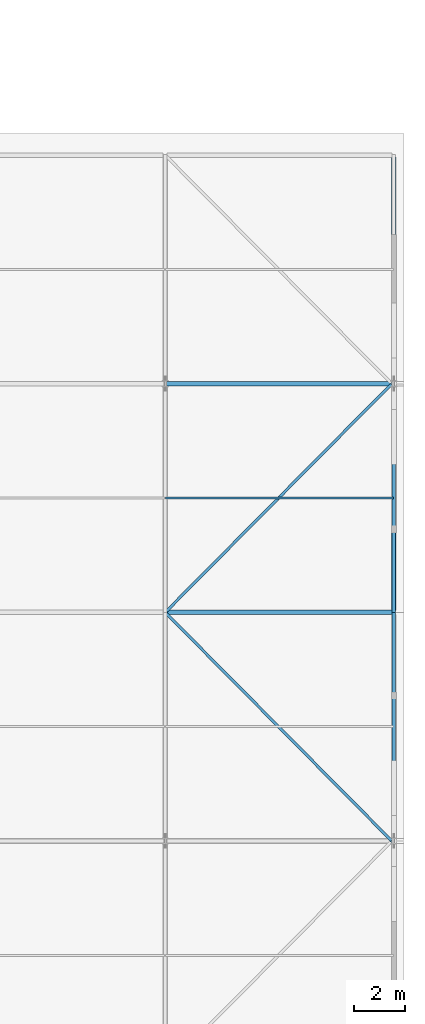
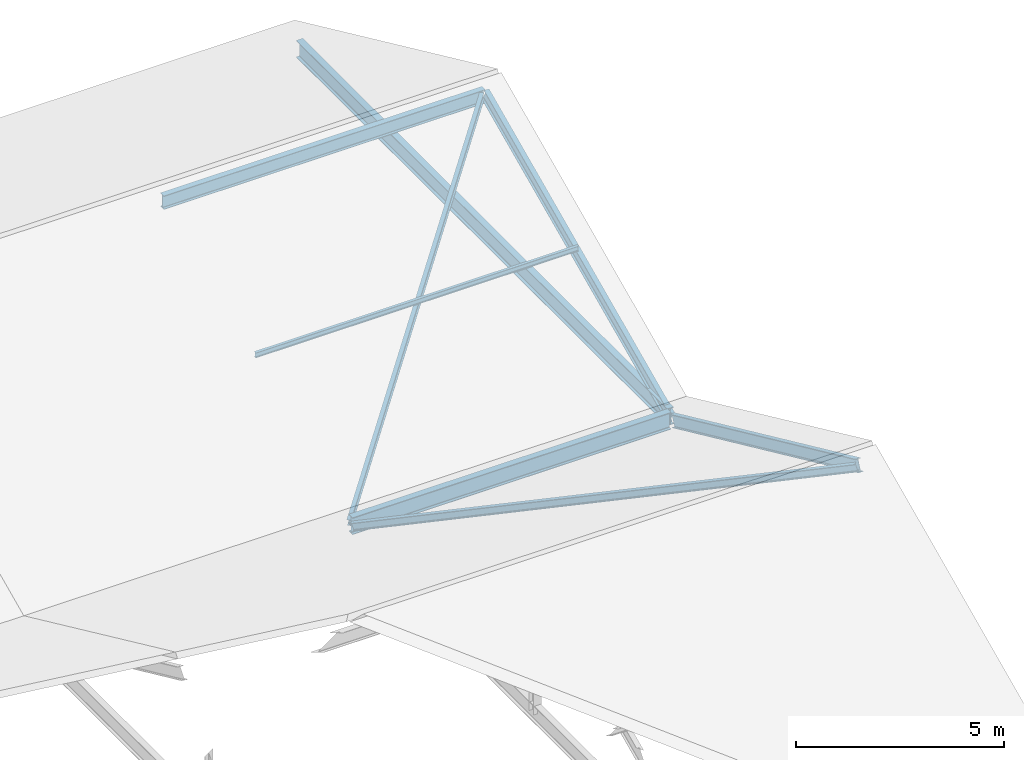
# One storey, part 89 of 163: 6 members, 2 beams.
"""IFC4 building model written with IfcOpenShell, lengths in metres."""

import ifcopenshell
import ifcopenshell.guid

model = None  # the IFC model being written
_history = None  # IfcOwnerHistory: only IFC2X3 demands one
_inside = {}  # id of a spatial element -> (the spatial element, [elements in it])
_under = {}  # id of a project, library or spatial element -> (it, [spatial elements below it])
_declared = {}  # id of a project -> (the project, [libraries it declares])
_typed = {}  # id of a type object -> (the type object, [elements of that type])
_made_of = {}  # id of a material, layer set ... -> (it, [elements and type objects made of it])


def new_model(schema):
    """Start an empty IFC model of exactly this schema.

    Asked for "IFC4X3", IfcOpenShell would pick the latest addendum, in which some entities
    have other attributes; the version numbers below select the first issue.
    IFC2X3 requires an IfcOwnerHistory on every rooted entity: one is made here for all.
    """
    global model, _history
    if schema == "IFC4X3":
        model = ifcopenshell.file(schema_version=(4, 3, 0, 0))
    else:
        model = ifcopenshell.file(schema=schema)
    _inside.clear()
    _under.clear()
    _declared.clear()
    _typed.clear()
    _made_of.clear()
    _history = None
    if model.schema == "IFC2X3":
        org = make("IfcOrganization", Name="unknown")
        user = make(
            "IfcPersonAndOrganization",
            ThePerson=make("IfcPerson", FamilyName="unknown"),
            TheOrganization=org,
        )
        app = make(
            "IfcApplication",
            ApplicationDeveloper=org,
            Version="unknown",
            ApplicationFullName="unknown",
            ApplicationIdentifier="unknown",
        )
        _history = make(
            "IfcOwnerHistory",
            OwningUser=user,
            OwningApplication=app,
            ChangeAction="ADDED",
            CreationDate=0,
        )
    return model


def make(cls, **values):
    """One entity of the class cls with the attributes given. An attribute that is None is left unset."""
    return model.create_entity(
        cls, **{name: value for name, value in values.items() if value is not None}
    )


def rooted(cls, **values):
    """An entity with a GlobalId (a new one), such as an element, a storey or a relation."""
    return make(cls, GlobalId=ifcopenshell.guid.new(), OwnerHistory=_history, **values)


def si_unit(unit_type, name, prefix=None):
    """IfcSIUnit, for example si_unit("LENGTHUNIT", "METRE", prefix="MILLI")."""
    return make("IfcSIUnit", UnitType=unit_type, Prefix=prefix, Name=name)


def assignment(units):
    """IfcUnitAssignment: the units of a project."""
    return None if units is None else make("IfcUnitAssignment", Units=units)


def point(xyz):
    """IfcCartesianPoint."""
    return None if xyz is None else make("IfcCartesianPoint", Coordinates=xyz)


def direction(xyz):
    """IfcDirection."""
    return None if xyz is None else make("IfcDirection", DirectionRatios=xyz)


def frame(location, z_axis=None, x_axis=None):
    """IfcAxis2Placement3D, a coordinate frame: its origin and axes. An axis left out is left unset."""
    return make(
        "IfcAxis2Placement3D",
        Location=point(location),
        Axis=direction(z_axis),
        RefDirection=direction(x_axis),
    )


def frame_2d(location, x_axis=None):
    """IfcAxis2Placement2D, a coordinate frame in the plane: its origin and x axis."""
    return make(
        "IfcAxis2Placement2D", Location=point(location), RefDirection=direction(x_axis)
    )


def origin():
    """The frame at (0, 0, 0) with its axes left unset."""
    return frame((0.0, 0.0, 0.0))


def origin_2d():
    """The frame at (0, 0) in the plane with its x axis left unset."""
    return frame_2d((0.0, 0.0))


def place(relative_to, where):
    """IfcLocalPlacement: puts the frame where relative to a parent placement (None: the world)."""
    return make(
        "IfcLocalPlacement", PlacementRelTo=relative_to, RelativePlacement=where
    )


def context(
    kind, dimensions, precision=None, world=None, true_north=None, identifier=None
):
    """IfcGeometricRepresentationContext, for example the 3D "Model" context."""
    return make(
        "IfcGeometricRepresentationContext",
        ContextIdentifier=identifier,
        ContextType=kind,
        CoordinateSpaceDimension=dimensions,
        Precision=precision,
        WorldCoordinateSystem=world,
        TrueNorth=true_north,
    )


def subcontext(parent, identifier, kind, view, scale=None):
    """IfcGeometricRepresentationSubContext, for example "Body" below "Model"."""
    return make(
        "IfcGeometricRepresentationSubContext",
        ContextIdentifier=identifier,
        ContextType=kind,
        ParentContext=parent,
        TargetScale=scale,
        TargetView=view,
    )


def project(units=None, contexts=None):
    """IfcProject with its units and contexts."""
    return rooted(
        "IfcProject",
        Name="project",
        RepresentationContexts=contexts,
        UnitsInContext=assignment(units),
    )


def spatial(cls, under=None, at=None, **own):
    """A site, building, storey or space (cls), placed at a placement, below another one or the project."""
    s = rooted(cls, ObjectPlacement=at, **own)
    if under is not None:
        _under.setdefault(under.id(), (under, []))[1].append(s)
    return s


def profile(cls, at=None, kind="AREA", **sizes):
    """A parametric profile (cls). Its sizes go by their IFC names, for example OverallWidth=200.0."""
    return make(cls, ProfileType=kind, Position=at, **sizes)


def i_section(**sizes):
    """IfcIShapeProfileDef."""
    return profile("IfcIShapeProfileDef", **sizes)


def extrude(swept, where, along, depth):
    """IfcExtrudedAreaSolid: the profile swept, set in the frame where, extruded along a direction by depth."""
    return make(
        "IfcExtrudedAreaSolid",
        SweptArea=swept,
        Position=where,
        ExtrudedDirection=direction(along),
        Depth=depth,
    )


def shape(context_of_items, identifier, shape_type, items):
    """IfcShapeRepresentation: the items that make up one representation, for example the "Body"."""
    return make(
        "IfcShapeRepresentation",
        ContextOfItems=context_of_items,
        RepresentationIdentifier=identifier,
        RepresentationType=shape_type,
        Items=items,
    )


def material(Name=None, Category=None):
    """IfcMaterial."""
    return make("IfcMaterial", Name=Name, Category=Category)


def material_profile(
    of_material, cross_section, Name=None, Category=None, Priority=None
):
    """IfcMaterialProfile: a cross section and its material."""
    return make(
        "IfcMaterialProfile",
        Name=Name,
        Material=of_material,
        Profile=cross_section,
        Priority=Priority,
        Category=Category,
    )


def profile_set(profiles, Name=None, composite=None):
    """IfcMaterialProfileSet."""
    return make(
        "IfcMaterialProfileSet",
        Name=Name,
        MaterialProfiles=profiles,
        CompositeProfile=composite,
    )


def made_of(thing, what):
    """Note that an element or type object is made of a material, layer set ...; save() writes the relation."""
    if what is not None:
        _made_of.setdefault(what.id(), (what, []))[1].append(thing)
    return thing


def type_object(cls, material=None, **own):
    """A type object (cls), such as IfcWallType, which elements share."""
    return made_of(rooted(cls, **own), material)


def element(
    cls,
    number,
    at=None,
    inside=None,
    cuts=None,
    type_object=None,
    material=None,
    context=None,
    identifier="Body",
    shape_type=None,
    held_by="IfcProductDefinitionShape",
    body=None,
    shapes=None,
    **own,
):
    """One element of the class cls, such as IfcWall. Its Tag is "e" and its number.

    at: its placement. inside: the storey or other place that contains it. cuts: it is an
    opening in that element (IfcRelVoidsElement). A single representation is given by context,
    identifier, shape_type and body (its items); several are given by shapes. held_by: the class
    of the entity that holds the representations. save() writes the other relations.
    """
    e = rooted(cls, Tag="e%d" % number, ObjectPlacement=at, **own)
    if body is not None:
        shapes = [shape(context, identifier, shape_type, body)]
    if shapes is not None:
        e.Representation = make(held_by, Representations=shapes)
    if inside is not None:
        _inside.setdefault(inside.id(), (inside, []))[1].append(e)
    if cuts is not None:
        rooted(
            "IfcRelVoidsElement", RelatingBuildingElement=cuts, RelatedOpeningElement=e
        )
    if type_object is not None:
        _typed.setdefault(type_object.id(), (type_object, []))[1].append(e)
    return made_of(e, material)


def aggregate(whole, parts):
    """IfcRelAggregates: a whole, such as a stair, and the parts it consists of."""
    return rooted("IfcRelAggregates", RelatingObject=whole, RelatedObjects=parts)


def save(model, path):
    """Write the relations noted so far, then the file.

    IfcRelAggregates (storeys below a building ...), IfcRelContainedInSpatialStructure (elements
    in a storey), IfcRelDefinesByType, IfcRelAssociatesMaterial and IfcRelDeclares: one each for
    every whole, place, type object, material and project.
    """
    for whole, parts in _under.values():
        aggregate(whole, parts)
    for where, things in _inside.values():
        rooted(
            "IfcRelContainedInSpatialStructure",
            RelatedElements=things,
            RelatingStructure=where,
        )
    for kind, things in _typed.values():
        rooted("IfcRelDefinesByType", RelatedObjects=things, RelatingType=kind)
    for what, things in _made_of.values():
        rooted("IfcRelAssociatesMaterial", RelatedObjects=things, RelatingMaterial=what)
    for by, libraries in _declared.values():
        rooted("IfcRelDeclares", RelatingContext=by, RelatedDefinitions=libraries)
    model.write(path)


model = new_model("IFC4")

# Units and contexts
model_context = context("Model", 3, precision=1e-05, world=origin(), true_north=direction((0.0, 1.0)))
body_context = subcontext(model_context, "Body", "Model", "MODEL_VIEW")
ifc_project = project(units=[si_unit("LENGTHUNIT", "METRE"), si_unit("AREAUNIT", "SQUARE_METRE"), si_unit("VOLUMEUNIT", "CUBIC_METRE"), si_unit("PLANEANGLEUNIT", "RADIAN"), si_unit("MASSUNIT", "GRAM", prefix="KILO")], contexts=[model_context])

# Site, building, storey
site_placement = place(None, origin())
site = spatial("IfcSite", under=ifc_project, at=site_placement, CompositionType="ELEMENT")
building_placement = place(site_placement, origin())
building = spatial("IfcBuilding", under=site, at=building_placement, Name="Tharagai Park Tramway Depot", CompositionType="ELEMENT")
storey_placement = place(building_placement, frame((0.0, 0.0, 8.39990234375)))
storey = spatial("IfcBuildingStorey", under=building, at=storey_placement, Name="L02", CompositionType="ELEMENT", Elevation=8.39990234375)

# Beams
ifc_material_1 = material(Name="Steel E350", Category="steel")
ifc_material_profile_1 = material_profile(ifc_material_1, i_section(OverallWidth=0.179931640625, OverallDepth=0.5, WebThickness=0.01025390625, FlangeThickness=0.01708984375, FilletRadius=0.01708984375, at=origin_2d()), Name="ISMB 500")
ifc_profile_set_1 = profile_set([ifc_material_profile_1], Name="Steel E350")
beam_type = type_object("IfcBeamType", Name="BM-18", PredefinedType="BEAM", material=ifc_profile_set_1)
beam_1_placement = place(storey_placement, frame((207.080078125, 117.0, -0.5), z_axis=(1.0, 0.0, 0.0), x_axis=(0.0, 1.0, 0.0)))
element("IfcBeam", 1, at=beam_1_placement, inside=storey, type_object=beam_type, Name="V3B1 Roof Eave Girder BM-18", PredefinedType="BEAM", context=body_context, shape_type="SweptSolid", body=[
    extrude(i_section(OverallWidth=0.179931640625, OverallDepth=0.5, WebThickness=0.01025390625, FlangeThickness=0.01708984375, FilletRadius=0.01708984375, at=origin_2d()), origin(), (0.0, 0.0, 1.0), 8.83984375),
])
beam_2_placement = place(storey_placement, frame((216.0, 117.080078125, -0.5), z_axis=(0.0, 1.0, 0.0), x_axis=(-1.0, 0.0, 0.0)))
element("IfcBeam", 2, at=beam_2_placement, inside=storey, type_object=beam_type, Name="V3B2 Gable Tie Girder BM-18", PredefinedType="BEAM", context=body_context, shape_type="SweptSolid", body=[
    extrude(i_section(OverallWidth=0.179931640625, OverallDepth=0.5, WebThickness=0.01025390625, FlangeThickness=0.01708984375, FilletRadius=0.01708984375, at=origin_2d()), origin(), (0.0, 0.0, 1.0), 17.83984375),
])

# Members
ifc_material_profile_2 = material_profile(ifc_material_1, i_section(OverallWidth=0.110107421875, OverallDepth=0.22509765625, WebThickness=0.006591796875, FlangeThickness=0.01171875, FilletRadius=0.011962890625, at=origin_2d()), Name="ISMB 225")
ifc_profile_set_2 = profile_set([ifc_material_profile_2], Name="Steel E350")
member_type_1 = type_object("IfcMemberType", Name="BR-04", PredefinedType="BRACE", material=ifc_profile_set_2)
for number, where, z_axis, x_axis, name in (
    (3, (207.080078125, 116.919921875, -0.5), (0.670013535157, -0.676083034703, 0.306583745318), (0.710287879152, 0.703911307432, 0.0), "V3B1 Roof Wind Brace BR-04"),
    (4, (207.080078125, 117.080078125, -0.5), (0.670013535157, 0.676083034703, 0.306583745318), (-0.710287879152, 0.703911307432, 0.0), "V3B2 Roof Wind Brace BR-04"),
):
    element("IfcMember", number, at=place(storey_placement, frame(where, z_axis=z_axis, x_axis=x_axis)), inside=storey, type_object=member_type_1, Name=name, PredefinedType="BRACE", context=body_context, shape_type="SweptSolid", body=[
        extrude(i_section(OverallWidth=0.110107421875, OverallDepth=0.22509765625, WebThickness=0.006591796875, FlangeThickness=0.01171875, FilletRadius=0.011962890625, at=origin_2d()), origin(), (0.0, 0.0, 1.0), 13.193603515625),
    ])
ifc_material_2 = material(Name="Steel E250", Category="steel")
ifc_material_profile_3 = material_profile(ifc_material_2, i_section(OverallWidth=0.080078125, OverallDepth=0.14990234375, WebThickness=0.0048828125, FlangeThickness=0.007568359375, FilletRadius=0.009033203125, at=origin_2d()), Name="ISMB 150")
ifc_profile_set_3 = profile_set([ifc_material_profile_3], Name="Steel E250")
member_type_2 = type_object("IfcMemberType", Name="PR-05", PredefinedType="PURLIN", material=ifc_profile_set_3)
member_1_placement = place(storey_placement, frame((207.02001953125, 121.5, 1.77392578125), z_axis=(1.0, 0.0, 0.0), x_axis=(0.0, 1.0, 0.0)))
element("IfcMember", 5, at=member_1_placement, inside=storey, type_object=member_type_2, Name="V3B2 Roof Purlin PR-05", PredefinedType="PURLIN", context=body_context, shape_type="SweptSolid", body=[
    extrude(i_section(OverallWidth=0.080078125, OverallDepth=0.14990234375, WebThickness=0.0048828125, FlangeThickness=0.007568359375, FilletRadius=0.009033203125, at=origin_2d()), origin(), (0.0, 0.0, 1.0), 8.9599609375),
])
ifc_material_profile_4 = material_profile(ifc_material_1, i_section(OverallWidth=0.139892578125, OverallDepth=0.35009765625, WebThickness=0.008056640625, FlangeThickness=0.01416015625, FilletRadius=0.013916015625, at=origin_2d()), Name="ISMB 350")
ifc_profile_set_4 = profile_set([ifc_material_profile_4], Name="Steel E350")
member_type_3 = type_object("IfcMemberType", Name="RF-01", PredefinedType="RAFTER", material=ifc_profile_set_4)
for number, where, z_axis, x_axis, name in (
    (6, (216.0, 108.0, 3.56982421875), (0.0, 0.909083998875, -0.416612869448), (-1.0, 0.0, 0.0), "V3B1 Pitched Rafter RF-01 North"),
    (7, (216.0, 117.050048828125, -0.53173828125), (0.0, 0.909083998875, 0.416612869448), (-1.0, 0.0, 0.0), "V3B2 Pitched Rafter RF-01 South"),
):
    element("IfcMember", number, at=place(storey_placement, frame(where, z_axis=z_axis, x_axis=x_axis)), inside=storey, type_object=member_type_3, Name=name, PredefinedType="RAFTER", context=body_context, shape_type="SweptSolid", body=[
        extrude(i_section(OverallWidth=0.139892578125, OverallDepth=0.35009765625, WebThickness=0.008056640625, FlangeThickness=0.01416015625, FilletRadius=0.013916015625, at=origin_2d()), origin(), (0.0, 0.0, 1.0), 9.844970703125),
    ])
ifc_material_profile_5 = material_profile(ifc_material_1, i_section(OverallWidth=0.1650390625, OverallDepth=0.39990234375, WebThickness=0.008056640625, FlangeThickness=0.012451171875, FilletRadius=0.013916015625, at=origin_2d()), Name="ISLB 400")
ifc_profile_set_5 = profile_set([ifc_material_profile_5], Name="Steel E350")
member_type_4 = type_object("IfcMemberType", Name="TC-04", PredefinedType="CHORD", material=ifc_profile_set_5)
member_2_placement = place(storey_placement, frame((207.0400390625, 126.0, 3.544921875), z_axis=(1.0, 0.0, 0.0), x_axis=(0.0, 1.0, 0.0)))
element("IfcMember", 8, at=member_2_placement, inside=storey, type_object=member_type_4, Name="V3B2 Roof Ridge Chord TC-04", PredefinedType="CHORD", context=body_context, shape_type="SweptSolid", body=[
    extrude(i_section(OverallWidth=0.1650390625, OverallDepth=0.39990234375, WebThickness=0.008056640625, FlangeThickness=0.012451171875, FilletRadius=0.013916015625, at=origin_2d()), origin(), (0.0, 0.0, 1.0), 8.919921875),
])

save(model, "model.ifc")
